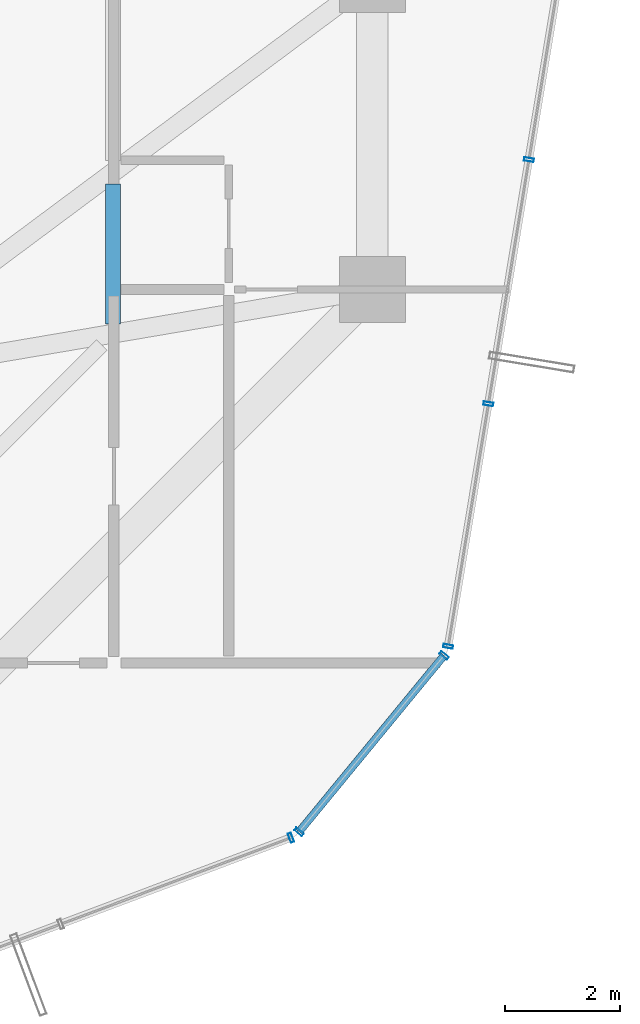
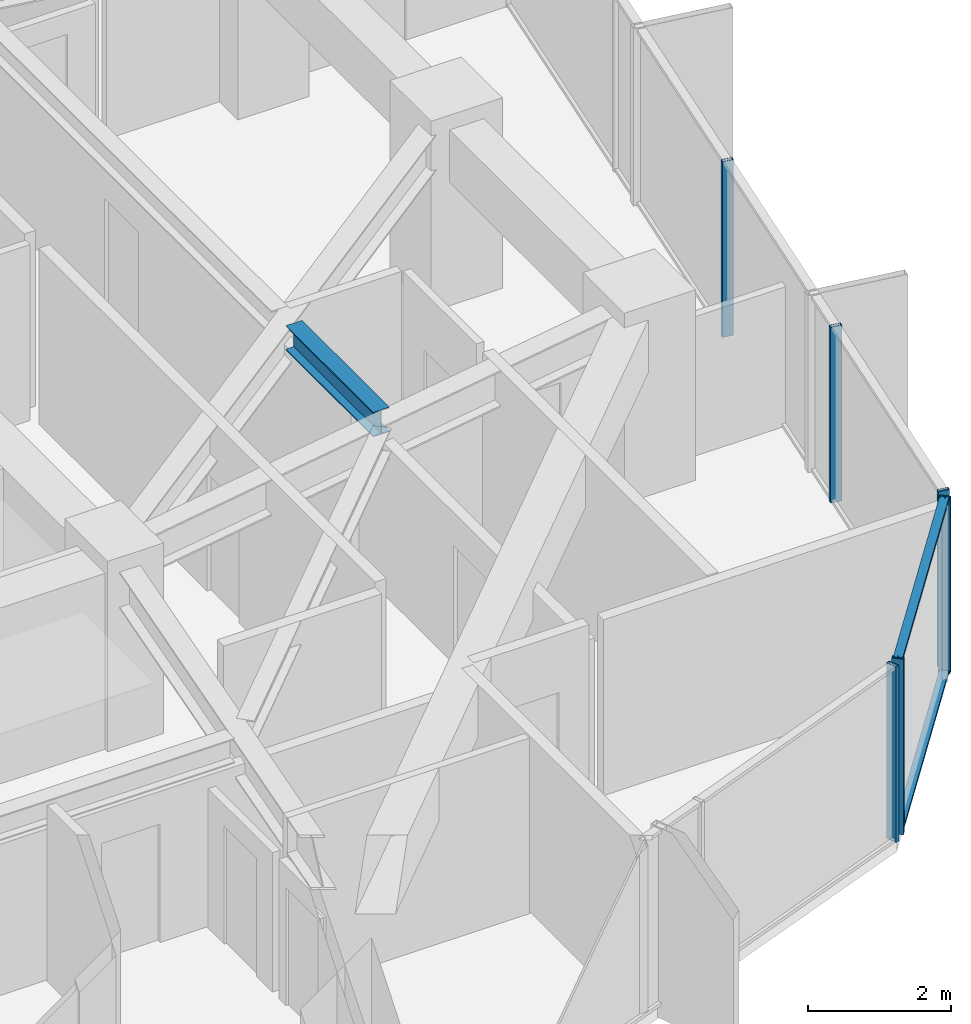
# One storey, part 16 of 30: 8 members, 1 beam, 3 elements without a shape of their own.
"""IFC4 building model written with IfcOpenShell, lengths in metres."""

from ifc_helpers import new_model, si_unit, direction, frame, origin, origin_2d, place, context, subcontext, project, spatial, hollow_rectangle, i_section, extrude, source, transform, mapped, material, layer, layer_set, material_profile, profile_set, type_object, element, aggregate, save


model = new_model("IFC4")

# Units and contexts
model_context = context("Model", 3, precision=1e-05, world=origin(), true_north=direction((0.0, 1.0)))
body_context = subcontext(model_context, "Body", "Model", "MODEL_VIEW")
ifc_project = project(units=[si_unit("LENGTHUNIT", "METRE"), si_unit("AREAUNIT", "SQUARE_METRE"), si_unit("VOLUMEUNIT", "CUBIC_METRE"), si_unit("PLANEANGLEUNIT", "RADIAN"), si_unit("MASSUNIT", "GRAM", prefix="KILO")], contexts=[model_context])

# Site, building, storey
site_placement = place(None, origin())
site = spatial("IfcSite", under=ifc_project, at=site_placement, CompositionType="ELEMENT")
building_placement = place(site_placement, origin())
building = spatial("IfcBuilding", under=site, at=building_placement, Name="Veraguas Prism Commons", CompositionType="ELEMENT")
storey_placement = place(building_placement, frame((0.0, 0.0, 95.949951171875)))
storey = spatial("IfcBuildingStorey", under=building, at=storey_placement, Name="L26", CompositionType="ELEMENT", Elevation=95.949951171875)

# Beam
ifc_material_1 = material(Name="Steel ASTM A992 Grade 50", Category="steel")
ifc_material_profile_1 = material_profile(ifc_material_1, i_section(OverallWidth=0.260986328125, OverallDepth=0.419921875, WebThickness=0.01171875, FlangeThickness=0.019287109375, at=origin_2d()), Name="W410X114")
ifc_profile_set_1 = profile_set([ifc_material_profile_1], Name="Steel ASTM A992 Grade 50")
beam_type = type_object("IfcBeamType", Name="Lower Floor Joist W410x114", PredefinedType="JOIST", material=ifc_profile_set_1)
beam_placement = place(storey_placement, frame((35.68798828125, 17.996337890625, 2.7900390625), z_axis=(0.0, 1.0, 0.0), x_axis=(-1.0, 0.0, 0.0)))
element("IfcBeam", 1, at=beam_placement, inside=storey, type_object=beam_type, Name="Composite Floor Joist L26-JS01", PredefinedType="JOIST", context=body_context, shape_type="SweptSolid", body=[
    extrude(i_section(OverallWidth=0.260986328125, OverallDepth=0.419921875, WebThickness=0.01171875, FlangeThickness=0.019287109375, at=origin_2d()), origin(), (0.0, 0.0, 1.0), 2.441650390625),
])

# Curtain wall, member
ifc_material_2 = material(Name="Anodised aluminium EN AW-6063 T6", Category="aluminium")
ifc_layer = layer(ifc_material_2, 0.169921875, Name="Unitised Flush Curtain Wall Zone 2", Category="aluminium")
ifc_layer_set = layer_set([ifc_layer], Name="Anodised aluminium EN AW-6063 T6")
curtain_wall_type = type_object("IfcCurtainWallType", Name="Unitised Flush Curtain Wall Zone 2", PredefinedType="NOTDEFINED", material=ifc_layer_set)
curtain_wall_1_placement = place(storey_placement, origin())
curtain_wall_1 = element("IfcCurtainWall", 2, at=curtain_wall_1_placement, inside=storey, type_object=curtain_wall_type, Name="Tower Facade Curtain Wall L26-F5", PredefinedType="NOTDEFINED")
ifc_material_profile_2 = material_profile(ifc_material_2, hollow_rectangle(XDim=0.06005859375, YDim=0.169921875, WallThickness=0.00390625, at=origin_2d()), Name="AL60X170X4")
ifc_profile_set_2 = profile_set([ifc_material_profile_2], Name="Anodised aluminium EN AW-6063 T6")
member_type_1 = type_object("IfcMemberType", Name="Curtain Wall Mullion Lower AL 60x170x4", PredefinedType="MULLION", material=ifc_profile_set_2)
shared_shape_1 = source(origin(), body_context, "Body", "SweptSolid", [
    extrude(hollow_rectangle(XDim=0.06005859375, YDim=0.169921875, WallThickness=0.00390625, at=origin_2d()), origin(), (0.0, 0.0, 1.0), 3.0),
])
member_1_placement = place(storey_placement, frame((38.7822265625, 9.060302734375, 0.0), z_axis=(0.0, 0.0, 1.0), x_axis=(0.93618290812, 0.351513246611, 0.0)))
member_1 = element("IfcMember", 3, at=member_1_placement, type_object=member_type_1, Name="CW-Z2 Mullion 5", PredefinedType="MULLION", context=body_context, shape_type="MappedRepresentation", body=[
    mapped(shared_shape_1, transform((0.0, 0.0, 0.0), scale=1.0)),
])
aggregate(curtain_wall_1, [member_1])

# Curtain wall, members
curtain_wall_2_placement = place(storey_placement, origin())
curtain_wall_2 = element("IfcCurtainWall", 4, at=curtain_wall_2_placement, inside=storey, type_object=curtain_wall_type, Name="Tower Facade Curtain Wall L26-F6", PredefinedType="NOTDEFINED")
member_2_placement = place(storey_placement, frame((41.518310546875, 12.388916015625, 0.0), z_axis=(0.0, 0.0, 1.0), x_axis=(0.163672052728, 0.986514804327, 0.0)))
member_2 = element("IfcMember", 5, at=member_2_placement, type_object=member_type_1, Name="CW-Z2 Mullion 1", PredefinedType="MULLION", context=body_context, shape_type="MappedRepresentation", body=[
    mapped(shared_shape_1, transform((0.0, 0.0, 0.0), scale=1.0)),
])
member_3_placement = place(storey_placement, frame((42.218505859375, 16.60986328125, 0.0), z_axis=(0.0, 0.0, 1.0), x_axis=(0.163672052728, 0.986514804327, 0.0)))
member_3 = element("IfcMember", 6, at=member_3_placement, type_object=member_type_1, Name="CW-Z2 Mullion 2", PredefinedType="MULLION", context=body_context, shape_type="MappedRepresentation", body=[
    mapped(shared_shape_1, transform((0.0, 0.0, 0.0), scale=1.0)),
])
member_4_placement = place(storey_placement, frame((42.923828125, 20.8603515625, 0.0), z_axis=(0.0, 0.0, 1.0), x_axis=(0.163672052728, 0.986514804327, 0.0)))
member_4 = element("IfcMember", 7, at=member_4_placement, type_object=member_type_1, Name="CW-Z2 Mullion 3", PredefinedType="MULLION", context=body_context, shape_type="MappedRepresentation", body=[
    mapped(shared_shape_1, transform((0.0, 0.0, 0.0), scale=1.0)),
])
aggregate(curtain_wall_2, [member_2, member_3, member_4])

curtain_wall_3_placement = place(storey_placement, origin())
curtain_wall_3 = element("IfcCurtainWall", 8, at=curtain_wall_3_placement, inside=storey, type_object=curtain_wall_type, Name="Chamfer Curtain Wall L26-C6", PredefinedType="NOTDEFINED")
member_5_placement = place(storey_placement, frame((38.923583984375, 9.161376953125, 0.0), z_axis=(0.0, 0.0, 1.0), x_axis=(0.63501234394, 0.772501989023, 0.0)))
member_5 = element("IfcMember", 9, at=member_5_placement, type_object=member_type_1, Name="CW-Z2 Mullion 1", PredefinedType="MULLION", context=body_context, shape_type="MappedRepresentation", body=[
    mapped(shared_shape_1, transform((0.0, 0.0, 0.0), scale=1.0)),
])
member_6_placement = place(storey_placement, frame((41.446533203125, 12.230712890625, 0.0), z_axis=(0.0, 0.0, 1.0), x_axis=(0.63501234394, 0.772501989023, 0.0)))
member_6 = element("IfcMember", 10, at=member_6_placement, type_object=member_type_1, Name="CW-Z2 Mullion 2", PredefinedType="MULLION", context=body_context, shape_type="MappedRepresentation", body=[
    mapped(shared_shape_1, transform((0.0, 0.0, 0.0), scale=1.0)),
])
ifc_material_profile_3 = material_profile(ifc_material_2, hollow_rectangle(XDim=0.054931640625, YDim=0.135009765625, WallThickness=0.0029296875, at=origin_2d()), Name="AL55X135X3")
ifc_profile_set_3 = profile_set([ifc_material_profile_3], Name="Anodised aluminium EN AW-6063 T6")
member_type_2 = type_object("IfcMemberType", Name="Curtain Wall Transom Standard AL 55x135x3", PredefinedType="USERDEFINED", material=ifc_profile_set_3)
shared_shape_2 = source(origin(), body_context, "Body", "SweptSolid", [
    extrude(hollow_rectangle(XDim=0.054931640625, YDim=0.135009765625, WallThickness=0.0029296875, at=origin_2d()), origin(), (0.0, 0.0, 1.0), 3.97314453125),
])
member_7_placement = place(storey_placement, frame((38.923583984375, 9.161376953125, 0.027587890625), z_axis=(0.634996222031, 0.772515241278, 0.0), x_axis=(0.0, 0.0, 1.0)))
member_7 = element("IfcMember", 11, at=member_7_placement, type_object=member_type_2, Name="CW-Z2 Transom 1", ObjectType="TRANSOM", PredefinedType="USERDEFINED", context=body_context, shape_type="MappedRepresentation", body=[
    mapped(shared_shape_2, transform((0.0, 0.0, 0.0), scale=1.0)),
])
member_8_placement = place(storey_placement, frame((38.923583984375, 9.161376953125, 2.97265625), z_axis=(0.634996222031, 0.772515241278, 0.0), x_axis=(0.0, 0.0, 1.0)))
member_8 = element("IfcMember", 12, at=member_8_placement, type_object=member_type_2, Name="CW-Z2 Transom 2", ObjectType="TRANSOM", PredefinedType="USERDEFINED", context=body_context, shape_type="MappedRepresentation", body=[
    mapped(shared_shape_2, transform((0.0, 0.0, 0.0), scale=1.0)),
])
aggregate(curtain_wall_3, [member_5, member_6, member_7, member_8])

save(model, "model.ifc")
